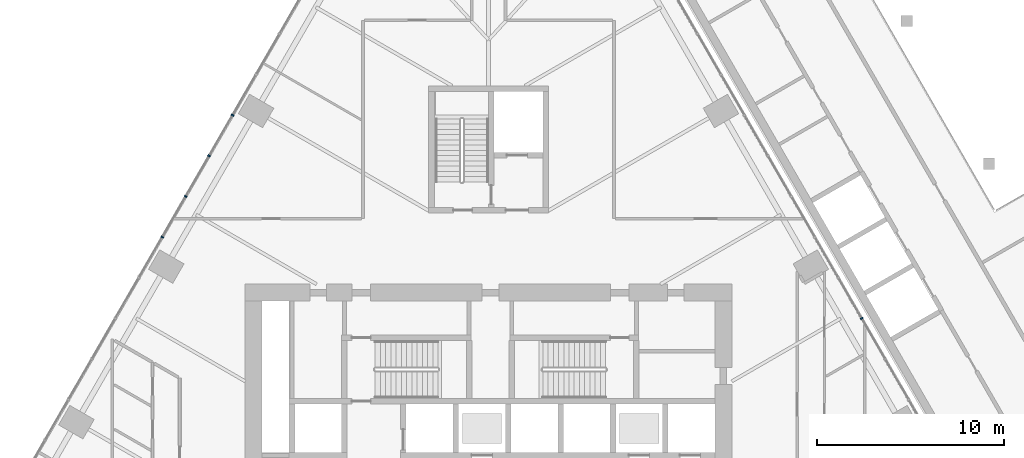
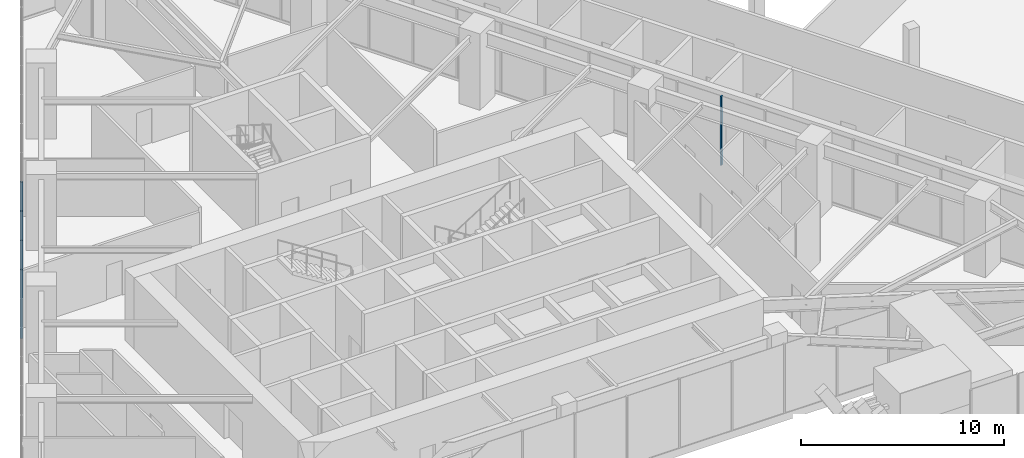
# One storey, part 10 of 30: 5 members, 2 elements without a shape of their own.
"""IFC4 building model written with IfcOpenShell, lengths in metres."""

from ifc_helpers import new_model, si_unit, direction, frame, origin, origin_2d, place, context, subcontext, project, spatial, rectangle, extrude, material, layer, layer_set, material_profile, profile_set, type_object, element, aggregate, save


model = new_model("IFC4")

# Units and contexts
model_context = context("Model", 3, precision=1e-05, world=origin(), true_north=direction((0.0, 1.0)))
body_context = subcontext(model_context, "Body", "Model", "MODEL_VIEW")
ifc_project = project(units=[si_unit("LENGTHUNIT", "METRE"), si_unit("AREAUNIT", "SQUARE_METRE"), si_unit("VOLUMEUNIT", "CUBIC_METRE"), si_unit("PLANEANGLEUNIT", "RADIAN"), si_unit("MASSUNIT", "GRAM", prefix="KILO")], contexts=[model_context])

# Site, building, storey
site_placement = place(None, origin())
site = spatial("IfcSite", under=ifc_project, at=site_placement, CompositionType="ELEMENT")
building_placement = place(site_placement, origin())
building = spatial("IfcBuilding", under=site, at=building_placement, Name="Firuza Gate Tower and Library", CompositionType="ELEMENT")
storey_placement = place(building_placement, frame((0.0, 0.0, 12.60009765625)))
storey = spatial("IfcBuildingStorey", under=building, at=storey_placement, Name="L02", CompositionType="ELEMENT", Elevation=12.60009765625)

# Curtain wall, member
ifc_material_1 = material(Name="Aluminium 6063-T6", Category="aluminium")
ifc_layer = layer(ifc_material_1, 0.14990234375)
ifc_layer_set = layer_set([ifc_layer], Name="Stick curtain wall, podium")
curtain_wall_type = type_object("IfcCurtainWallType", Name="Stick curtain wall, podium", PredefinedType="NOTDEFINED", material=ifc_layer_set)
placement = place(storey_placement, origin())
curtain_wall_1 = element("IfcCurtainWall", 1, at=placement, inside=storey, type_object=curtain_wall_type, Name="CW5 L02 E", PredefinedType="NOTDEFINED")
ifc_material_2 = material(Name="Aluminium 6063-T6", Category="aluminium")
ifc_material_profile = material_profile(ifc_material_2, rectangle(XDim=0.14990234375, YDim=0.080078125, at=origin_2d()))
ifc_profile_set = profile_set([ifc_material_profile], Name="Aluminium 6063-T6")
member_type = type_object("IfcMemberType", Name="Curtain wall mullion 80x150", PredefinedType="MULLION", material=ifc_profile_set)
member_1_placement = place(storey_placement, frame((94.946044921875, 82.171630859375, 0.14990234375), z_axis=(0.0, 0.0, 1.0), x_axis=(-0.866025403784, -0.5, 0.0)))
member_1 = element("IfcMember", 2, at=member_1_placement, type_object=member_type, Name="Mullion", PredefinedType="MULLION", context=body_context, shape_type="SweptSolid", body=[
    extrude(rectangle(XDim=0.14990234375, YDim=0.080078125, at=origin_2d()), origin(), (0.0, 0.0, 1.0), 4.14990234375),
])
aggregate(curtain_wall_1, [member_1])

# Curtain wall, members
curtain_wall_2 = element("IfcCurtainWall", 3, at=placement, inside=storey, type_object=curtain_wall_type, Name="CW5 L02 W", PredefinedType="NOTDEFINED")
member_2_placement = place(storey_placement, frame((61.32421875, 93.0322265625, 0.14990234375), z_axis=(0.0, 0.0, 1.0), x_axis=(0.866025403784, -0.5, 0.0)))
member_2 = element("IfcMember", 4, at=member_2_placement, type_object=member_type, Name="Mullion", PredefinedType="MULLION", context=body_context, shape_type="SweptSolid", body=[
    extrude(rectangle(XDim=0.14990234375, YDim=0.080078125, at=origin_2d()), origin(), (0.0, 0.0, 1.0), 4.14990234375),
])
member_3_placement = place(storey_placement, frame((60.070068359375, 90.860107421875, 0.14990234375), z_axis=(0.0, 0.0, 1.0), x_axis=(0.866025403784, -0.5, 0.0)))
member_3 = element("IfcMember", 5, at=member_3_placement, type_object=member_type, Name="Mullion", PredefinedType="MULLION", context=body_context, shape_type="SweptSolid", body=[
    extrude(rectangle(XDim=0.14990234375, YDim=0.080078125, at=origin_2d()), origin(), (0.0, 0.0, 1.0), 4.14990234375),
])
member_4_placement = place(storey_placement, frame((58.816162109375, 88.68798828125, 0.14990234375), z_axis=(0.0, 0.0, 1.0), x_axis=(0.866025403784, -0.5, 0.0)))
member_4 = element("IfcMember", 6, at=member_4_placement, type_object=member_type, Name="Mullion", PredefinedType="MULLION", context=body_context, shape_type="SweptSolid", body=[
    extrude(rectangle(XDim=0.14990234375, YDim=0.080078125, at=origin_2d()), origin(), (0.0, 0.0, 1.0), 4.14990234375),
])
member_5_placement = place(storey_placement, frame((57.56201171875, 86.515869140625, 0.14990234375), z_axis=(0.0, 0.0, 1.0), x_axis=(0.866025403784, -0.5, 0.0)))
member_5 = element("IfcMember", 7, at=member_5_placement, type_object=member_type, Name="Mullion", PredefinedType="MULLION", context=body_context, shape_type="SweptSolid", body=[
    extrude(rectangle(XDim=0.14990234375, YDim=0.080078125, at=origin_2d()), origin(), (0.0, 0.0, 1.0), 4.14990234375),
])
aggregate(curtain_wall_2, [member_2, member_3, member_4, member_5])

save(model, "model.ifc")
